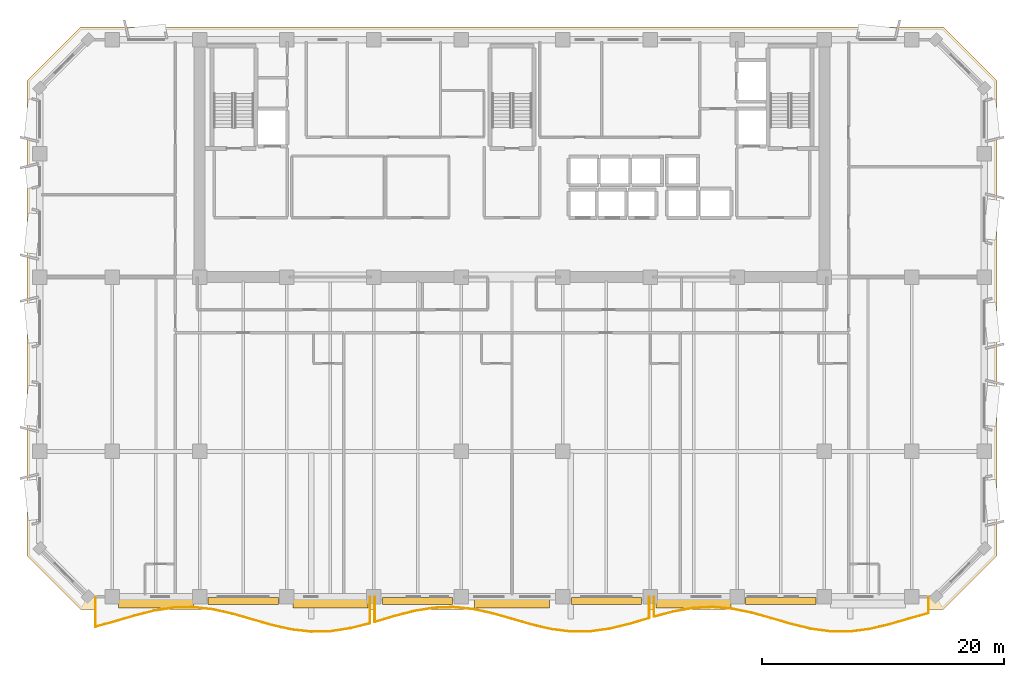
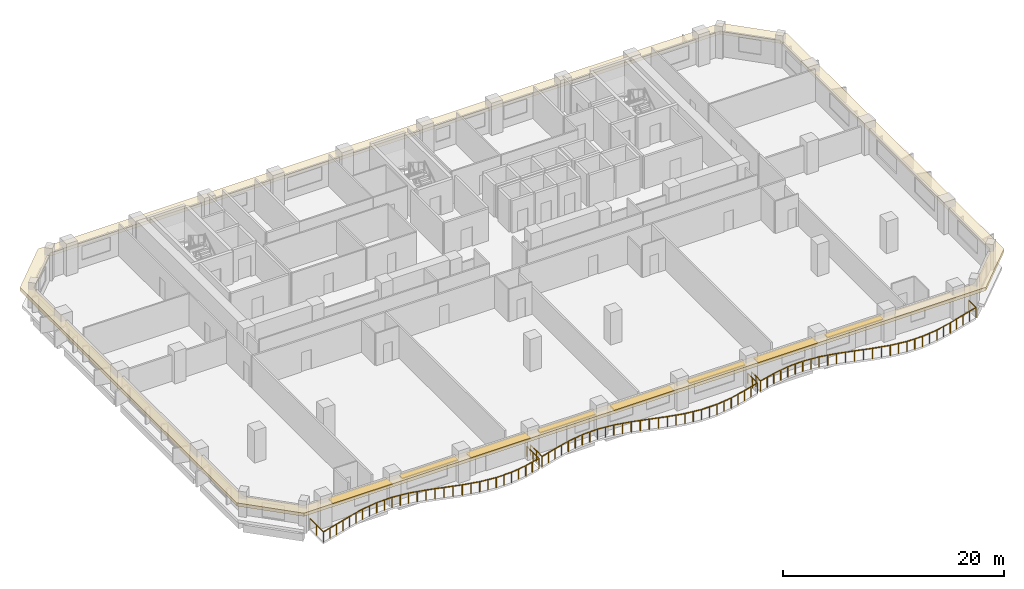
# One storey, part 10 of 14: 8 shading devices, 3 railings, 1 covering.
"""IFC4 building model written with IfcOpenShell, lengths in metres."""

from ifc_helpers import new_model, si_unit, direction, frame, origin, origin_2d, place, context, subcontext, project, spatial, polyline, rectangle, outline, extrude, material, layer, layer_set, type_object, element, save


model = new_model("IFC4")

# Units and contexts
model_context = context("Model", 3, precision=1e-05, world=origin(), true_north=direction((0.0, 1.0)))
body_context = subcontext(model_context, "Body", "Model", "MODEL_VIEW")
ifc_project = project(units=[si_unit("LENGTHUNIT", "METRE"), si_unit("AREAUNIT", "SQUARE_METRE"), si_unit("VOLUMEUNIT", "CUBIC_METRE"), si_unit("PLANEANGLEUNIT", "RADIAN"), si_unit("MASSUNIT", "GRAM", prefix="KILO")], contexts=[model_context])

# Site, building, storey
site_placement = place(None, origin())
site = spatial("IfcSite", under=ifc_project, at=site_placement, CompositionType="ELEMENT")
building_placement = place(site_placement, origin())
building = spatial("IfcBuilding", under=site, at=building_placement, Name="Kaelvorn Grand Hotel", CompositionType="ELEMENT")
storey_placement = place(building_placement, frame((0.0, 0.0, 212.949951171875)))
storey = spatial("IfcBuildingStorey", under=building, at=storey_placement, Name="L52", CompositionType="ELEMENT", Elevation=212.949951171875)

# Covering
ifc_material_1 = material(Name="Precast concrete C45/55", Category="concrete")
ifc_layer_1 = layer(ifc_material_1, 0.260009765625)
ifc_layer_set_1 = layer_set([ifc_layer_1], Name="Precast concrete C45/55")
covering_type = type_object("IfcCoveringType", Name="COV-BAND-STREAMLINE-HEAD", PredefinedType="CLADDING", material=ifc_layer_set_1)
covering_placement = place(storey_placement, frame((0.0, 0.0, 2.380126953125)))
element("IfcCovering", 1, at=covering_placement, inside=storey, type_object=covering_type, Name="L52 Streamline Moderne Wraparound Horizontal Eyebrow Band", PredefinedType="CLADDING", context=body_context, shape_type="SweptSolid", body=[
    extrude(outline(polyline([(6.389892578125, 1.949951171875), (77.610107421875, 1.949951171875), (82.050048828125, 6.389892578125), (82.050048828125, 45.610107421875), (77.610107421875, 50.050048828125), (6.389892578125, 50.050048828125), (1.949951171875, 45.610107421875), (1.949951171875, 6.389892578125), (6.389892578125, 1.949951171875)]), holes=[polyline([(7.02001953125, 3.030029296875), (76.97998046875, 3.030029296875), (80.969970703125, 7.02001953125), (80.969970703125, 44.97998046875), (76.97998046875, 48.969970703125), (7.02001953125, 48.969970703125), (3.030029296875, 44.97998046875), (3.030029296875, 7.02001953125), (7.02001953125, 3.030029296875)])]), origin(), (0.0, 0.0, 1.0), 0.35986328125),
])

# Railings
ifc_material_2 = material(Name="Stainless Steel", Category="steel")
railing_type = type_object("IfcRailingType", Name="RL-BALC-1150", PredefinedType="BALUSTRADE", material=ifc_material_2)
railing_1_placement = place(storey_placement, frame((7.60009765625, 3.0, 0.0)))
element("IfcRailing", 2, at=railing_1_placement, inside=storey, type_object=railing_type, Name="L52 Scalloped Wave Balcony Balustrade GR1-1", PredefinedType="BALUSTRADE", context=body_context, shape_type="SweptSolid", body=[
    extrude(rectangle(XDim=0.048095703125, YDim=0.048095703125, at=origin_2d()), frame((0.0, 0.0, 1.1259765625), z_axis=(0.0, -1.0, 0.0), x_axis=(1.0, 0.0, 0.0)), (0.0, 0.0, 1.0), 2.4775390625),
    extrude(rectangle(XDim=0.048095703125, YDim=0.048095703125, at=origin_2d()), frame((0.0, -2.4775390625, 1.1259765625), z_axis=(0.964706723911, 0.263326673244, 0.0), x_axis=(-0.263326673244, 0.964706723911, 0.0)), (0.0, 0.0, 1.0), 1.67822265625),
    extrude(rectangle(XDim=0.048095703125, YDim=0.048095703125, at=origin_2d()), frame((1.618896484375, -2.03564453125, 1.1259765625), z_axis=(0.959271015447, 0.282487378343, 0.0), x_axis=(-0.282487378343, 0.959271015447, 0.0)), (0.0, 0.0, 1.0), 1.68798828125),
    extrude(rectangle(XDim=0.048095703125, YDim=0.048095703125, at=origin_2d()), frame((3.238037109375, -1.558837890625, 1.1259765625), z_axis=(0.969684876745, 0.244358834119, 0.0), x_axis=(-0.244358834119, 0.969684876745, 0.0)), (0.0, 0.0, 1.0), 1.66943359375),
    extrude(rectangle(XDim=0.048095703125, YDim=0.048095703125, at=origin_2d()), frame((4.85693359375, -1.15087890625, 1.1259765625), z_axis=(0.988266376018, 0.152740204375, 0.0), x_axis=(-0.152740204375, 0.988266376018, 0.0)), (0.0, 0.0, 1.0), 1.638427734375),
    extrude(rectangle(XDim=0.048095703125, YDim=0.048095703125, at=origin_2d()), frame((6.47607421875, -0.900634765625, 1.1259765625), z_axis=(0.999719909885, 0.023666469519, 0.0), x_axis=(-0.023666469519, 0.999719909885, 0.0)), (0.0, 0.0, 1.0), 1.61962890625),
    extrude(rectangle(XDim=0.048095703125, YDim=0.048095703125, at=origin_2d()), frame((8.09521484375, -0.8623046875, 1.1259765625), z_axis=(0.993714448336, -0.111944607587, 0.0), x_axis=(0.111944607587, 0.993714448336, 0.0)), (0.0, 0.0, 1.0), 1.629150390625),
    extrude(rectangle(XDim=0.048095703125, YDim=0.048095703125, at=origin_2d()), frame((9.714111328125, -1.044677734375, 1.1259765625), z_axis=(0.975741913749, -0.218923999949, 0.0), x_axis=(0.218923999949, 0.975741913749, 0.0)), (0.0, 0.0, 1.0), 1.659423828125),
    extrude(rectangle(XDim=0.048095703125, YDim=0.048095703125, at=origin_2d()), frame((11.333251953125, -1.407958984375, 1.1259765625), z_axis=(0.961173148549, -0.275945970271, 0.0), x_axis=(0.275945970271, 0.961173148549, 0.0)), (0.0, 0.0, 1.0), 1.6845703125),
    extrude(rectangle(XDim=0.048095703125, YDim=0.048095703125, at=origin_2d()), frame((12.952392578125, -1.872802734375, 1.1259765625), z_axis=(0.961085178818, -0.276252201904, 0.0), x_axis=(0.276252201904, 0.961085178818, 0.0)), (0.0, 0.0, 1.0), 1.684326171875),
    extrude(rectangle(XDim=0.048095703125, YDim=0.048095703125, at=origin_2d()), frame((14.5712890625, -2.338134765625, 1.1259765625), z_axis=(0.975584547078, -0.219624205185, 0.0), x_axis=(0.219624205185, 0.975584547078, 0.0)), (0.0, 0.0, 1.0), 1.65966796875),
    extrude(rectangle(XDim=0.048095703125, YDim=0.048095703125, at=origin_2d()), frame((16.1904296875, -2.70263671875, 1.1259765625), z_axis=(0.993580397726, -0.113128215998, 0.0), x_axis=(0.113128215998, 0.993580397726, 0.0)), (0.0, 0.0, 1.0), 1.62939453125),
    extrude(rectangle(XDim=0.048095703125, YDim=0.048095703125, at=origin_2d()), frame((17.809326171875, -2.886962890625, 1.1259765625), z_axis=(0.999751090068, 0.022310488741, 0.0), x_axis=(-0.022310488741, 0.999751090068, 0.0)), (0.0, 0.0, 1.0), 1.61962890625),
    extrude(rectangle(XDim=0.048095703125, YDim=0.048095703125, at=origin_2d()), frame((19.428466796875, -2.850830078125, 1.1259765625), z_axis=(0.988423330197, 0.151721192723, 0.0), x_axis=(-0.151721192723, 0.988423330197, 0.0)), (0.0, 0.0, 1.0), 1.63818359375),
    extrude(rectangle(XDim=0.048095703125, YDim=0.048095703125, at=origin_2d()), frame((21.047607421875, -2.602294921875, 1.1259765625), z_axis=(0.969857916649, 0.243671133937, 0.0), x_axis=(-0.243671133937, 0.969857916649, 0.0)), (0.0, 0.0, 1.0), 1.669189453125),
    extrude(rectangle(XDim=0.048095703125, YDim=0.048095703125, at=origin_2d()), frame((22.66650390625, -2.195556640625, 1.1259765625), z_axis=(0.0, 1.0, 0.0), x_axis=(-1.0, 0.0, 0.0)), (0.0, 0.0, 1.0), 2.195556640625),
    extrude(rectangle(XDim=0.0419921875, YDim=0.0419921875, at=origin_2d()), origin(), (0.0, 0.0, 1.0), 1.101806640625),
    extrude(rectangle(XDim=0.0419921875, YDim=0.0419921875, at=origin_2d()), frame((0.0, -1.23876953125, 0.0)), (0.0, 0.0, 1.0), 1.101806640625),
    extrude(rectangle(XDim=0.0419921875, YDim=0.0419921875, at=origin_2d()), frame((0.0, -2.4775390625, 0.0)), (0.0, 0.0, 1.0), 1.101806640625),
    extrude(rectangle(XDim=0.0419921875, YDim=0.0419921875, at=origin_2d()), frame((0.8095703125, -2.256591796875, 0.0)), (0.0, 0.0, 1.0), 1.101806640625),
    extrude(rectangle(XDim=0.0419921875, YDim=0.0419921875, at=origin_2d()), frame((1.618896484375, -2.03564453125, 0.0)), (0.0, 0.0, 1.0), 1.101806640625),
    extrude(rectangle(XDim=0.0419921875, YDim=0.0419921875, at=origin_2d()), frame((2.428466796875, -1.79736328125, 0.0)), (0.0, 0.0, 1.0), 1.101806640625),
    extrude(rectangle(XDim=0.0419921875, YDim=0.0419921875, at=origin_2d()), frame((3.238037109375, -1.558837890625, 0.0)), (0.0, 0.0, 1.0), 1.101806640625),
    extrude(rectangle(XDim=0.0419921875, YDim=0.0419921875, at=origin_2d()), frame((4.04736328125, -1.35498046875, 0.0)), (0.0, 0.0, 1.0), 1.101806640625),
    extrude(rectangle(XDim=0.0419921875, YDim=0.0419921875, at=origin_2d()), frame((4.85693359375, -1.15087890625, 0.0)), (0.0, 0.0, 1.0), 1.101806640625),
    extrude(rectangle(XDim=0.0419921875, YDim=0.0419921875, at=origin_2d()), frame((5.66650390625, -1.02587890625, 0.0)), (0.0, 0.0, 1.0), 1.101806640625),
    extrude(rectangle(XDim=0.0419921875, YDim=0.0419921875, at=origin_2d()), frame((6.47607421875, -0.900634765625, 0.0)), (0.0, 0.0, 1.0), 1.101806640625),
    extrude(rectangle(XDim=0.0419921875, YDim=0.0419921875, at=origin_2d()), frame((7.28564453125, -0.88134765625, 0.0)), (0.0, 0.0, 1.0), 1.101806640625),
    extrude(rectangle(XDim=0.0419921875, YDim=0.0419921875, at=origin_2d()), frame((8.09521484375, -0.8623046875, 0.0)), (0.0, 0.0, 1.0), 1.101806640625),
    extrude(rectangle(XDim=0.0419921875, YDim=0.0419921875, at=origin_2d()), frame((8.90478515625, -0.95361328125, 0.0)), (0.0, 0.0, 1.0), 1.101806640625),
    extrude(rectangle(XDim=0.0419921875, YDim=0.0419921875, at=origin_2d()), frame((9.714111328125, -1.044677734375, 0.0)), (0.0, 0.0, 1.0), 1.101806640625),
    extrude(rectangle(XDim=0.0419921875, YDim=0.0419921875, at=origin_2d()), frame((10.523681640625, -1.226318359375, 0.0)), (0.0, 0.0, 1.0), 1.101806640625),
    extrude(rectangle(XDim=0.0419921875, YDim=0.0419921875, at=origin_2d()), frame((11.333251953125, -1.407958984375, 0.0)), (0.0, 0.0, 1.0), 1.101806640625),
    extrude(rectangle(XDim=0.0419921875, YDim=0.0419921875, at=origin_2d()), frame((12.142822265625, -1.640380859375, 0.0)), (0.0, 0.0, 1.0), 1.101806640625),
    extrude(rectangle(XDim=0.0419921875, YDim=0.0419921875, at=origin_2d()), frame((12.952392578125, -1.872802734375, 0.0)), (0.0, 0.0, 1.0), 1.101806640625),
    extrude(rectangle(XDim=0.0419921875, YDim=0.0419921875, at=origin_2d()), frame((13.76171875, -2.10546875, 0.0)), (0.0, 0.0, 1.0), 1.101806640625),
    extrude(rectangle(XDim=0.0419921875, YDim=0.0419921875, at=origin_2d()), frame((14.5712890625, -2.338134765625, 0.0)), (0.0, 0.0, 1.0), 1.101806640625),
    extrude(rectangle(XDim=0.0419921875, YDim=0.0419921875, at=origin_2d()), frame((15.380859375, -2.5205078125, 0.0)), (0.0, 0.0, 1.0), 1.101806640625),
    extrude(rectangle(XDim=0.0419921875, YDim=0.0419921875, at=origin_2d()), frame((16.1904296875, -2.70263671875, 0.0)), (0.0, 0.0, 1.0), 1.101806640625),
    extrude(rectangle(XDim=0.0419921875, YDim=0.0419921875, at=origin_2d()), frame((17.0, -2.794921875, 0.0)), (0.0, 0.0, 1.0), 1.101806640625),
    extrude(rectangle(XDim=0.0419921875, YDim=0.0419921875, at=origin_2d()), frame((17.809326171875, -2.886962890625, 0.0)), (0.0, 0.0, 1.0), 1.101806640625),
    extrude(rectangle(XDim=0.0419921875, YDim=0.0419921875, at=origin_2d()), frame((18.618896484375, -2.868896484375, 0.0)), (0.0, 0.0, 1.0), 1.101806640625),
    extrude(rectangle(XDim=0.0419921875, YDim=0.0419921875, at=origin_2d()), frame((19.428466796875, -2.850830078125, 0.0)), (0.0, 0.0, 1.0), 1.101806640625),
    extrude(rectangle(XDim=0.0419921875, YDim=0.0419921875, at=origin_2d()), frame((20.238037109375, -2.7265625, 0.0)), (0.0, 0.0, 1.0), 1.101806640625),
    extrude(rectangle(XDim=0.0419921875, YDim=0.0419921875, at=origin_2d()), frame((21.047607421875, -2.602294921875, 0.0)), (0.0, 0.0, 1.0), 1.101806640625),
    extrude(rectangle(XDim=0.0419921875, YDim=0.0419921875, at=origin_2d()), frame((21.85693359375, -2.39892578125, 0.0)), (0.0, 0.0, 1.0), 1.101806640625),
    extrude(rectangle(XDim=0.0419921875, YDim=0.0419921875, at=origin_2d()), frame((22.66650390625, -2.195556640625, 0.0)), (0.0, 0.0, 1.0), 1.101806640625),
    extrude(rectangle(XDim=0.0419921875, YDim=0.0419921875, at=origin_2d()), frame((22.66650390625, -1.09765625, 0.0)), (0.0, 0.0, 1.0), 1.101806640625),
    extrude(rectangle(XDim=0.0419921875, YDim=0.0419921875, at=origin_2d()), frame((22.66650390625, 0.0, 0.0)), (0.0, 0.0, 1.0), 1.101806640625),
])
railing_2_placement = place(storey_placement, frame((30.666748046875, 3.0, 0.0)))
element("IfcRailing", 3, at=railing_2_placement, inside=storey, type_object=railing_type, Name="L52 Scalloped Wave Balcony Balustrade GR1-2", PredefinedType="BALUSTRADE", context=body_context, shape_type="SweptSolid", body=[
    extrude(rectangle(XDim=0.048095703125, YDim=0.048095703125, at=origin_2d()), frame((0.0, 0.0, 1.1259765625), z_axis=(0.0, -1.0, 0.0), x_axis=(1.0, 0.0, 0.0)), (0.0, 0.0, 1.0), 2.080322265625),
    extrude(rectangle(XDim=0.048095703125, YDim=0.048095703125, at=origin_2d()), frame((0.0, -2.080322265625, 1.1259765625), z_axis=(0.959063249993, 0.283191953474, 0.0), x_axis=(-0.283191953474, 0.959063249993, 0.0)), (0.0, 0.0, 1.0), 1.68798828125),
    extrude(rectangle(XDim=0.048095703125, YDim=0.048095703125, at=origin_2d()), frame((1.618896484375, -1.602294921875, 1.1259765625), z_axis=(0.968153012553, 0.250359230478, 0.0), x_axis=(-0.250359230478, 0.968153012553, 0.0)), (0.0, 0.0, 1.0), 1.67236328125),
    extrude(rectangle(XDim=0.048095703125, YDim=0.048095703125, at=origin_2d()), frame((3.238037109375, -1.18359375, 1.1259765625), z_axis=(0.986570255456, 0.163337475949, 0.0), x_axis=(-0.163337475949, 0.986570255456, 0.0)), (0.0, 0.0, 1.0), 1.64111328125),
    extrude(rectangle(XDim=0.048095703125, YDim=0.048095703125, at=origin_2d()), frame((4.857177734375, -0.91552734375, 1.1259765625), z_axis=(0.999334712879, 0.036470969766, 0.0), x_axis=(-0.036470969766, 0.999334712879, 0.0)), (0.0, 0.0, 1.0), 1.619873046875),
    extrude(rectangle(XDim=0.048095703125, YDim=0.048095703125, at=origin_2d()), frame((6.47607421875, -0.8564453125, 1.1259765625), z_axis=(0.994995510951, -0.099919633639, 0.0), x_axis=(0.099919633639, 0.994995510951, 0.0)), (0.0, 0.0, 1.0), 1.627197265625),
    extrude(rectangle(XDim=0.048095703125, YDim=0.048095703125, at=origin_2d()), frame((8.09521484375, -1.01904296875, 1.1259765625), z_axis=(0.977557965922, -0.210666616393, 0.0), x_axis=(0.210666616393, 0.977557965922, 0.0)), (0.0, 0.0, 1.0), 1.656005859375),
    extrude(rectangle(XDim=0.048095703125, YDim=0.048095703125, at=origin_2d()), frame((9.714111328125, -1.367919921875, 1.1259765625), z_axis=(0.962015046514, -0.272996429062, 0.0), x_axis=(0.272996429062, 0.962015046514, 0.0)), (0.0, 0.0, 1.0), 1.68310546875),
    extrude(rectangle(XDim=0.048095703125, YDim=0.048095703125, at=origin_2d()), frame((11.333251953125, -1.827392578125, 1.1259765625), z_axis=(0.960401242625, -0.278620625876, 0.0), x_axis=(0.278620625876, 0.960401242625, 0.0)), (0.0, 0.0, 1.0), 1.685791015625),
    extrude(rectangle(XDim=0.048095703125, YDim=0.048095703125, at=origin_2d()), frame((12.952392578125, -2.297119140625, 1.1259765625), z_axis=(0.973816289073, -0.22733639202, 0.0), x_axis=(0.22733639202, 0.973816289073, 0.0)), (0.0, 0.0, 1.0), 1.662353515625),
    extrude(rectangle(XDim=0.048095703125, YDim=0.048095703125, at=origin_2d()), frame((14.5712890625, -2.675048828125, 1.1259765625), z_axis=(0.992185538276, -0.124771221188, 0.0), x_axis=(0.124771221188, 0.992185538276, 0.0)), (0.0, 0.0, 1.0), 1.6318359375),
    extrude(rectangle(XDim=0.048095703125, YDim=0.048095703125, at=origin_2d()), frame((16.1904296875, -2.878662109375, 1.1259765625), z_axis=(0.9999576899, 0.009198826585, 0.0), x_axis=(-0.009198826585, 0.9999576899, 0.0)), (0.0, 0.0, 1.0), 1.618896484375),
    extrude(rectangle(XDim=0.048095703125, YDim=0.048095703125, at=origin_2d()), frame((17.809326171875, -2.86376953125, 1.1259765625), z_axis=(0.9900626322, 0.140627110907, 0.0), x_axis=(-0.140627110907, 0.9900626322, 0.0)), (0.0, 0.0, 1.0), 1.635498046875),
    extrude(rectangle(XDim=0.048095703125, YDim=0.048095703125, at=origin_2d()), frame((19.428466796875, -2.6337890625, 1.1259765625), z_axis=(0.971438035801, 0.237293368214, 0.0), x_axis=(-0.237293368214, 0.971438035801, 0.0)), (0.0, 0.0, 1.0), 1.666748046875),
    extrude(rectangle(XDim=0.048095703125, YDim=0.048095703125, at=origin_2d()), frame((21.047607421875, -2.23828125, 1.1259765625), z_axis=(0.959650766176, 0.281194606949, 0.0), x_axis=(-0.281194606949, 0.959650766176, 0.0)), (0.0, 0.0, 1.0), 1.68701171875),
    extrude(rectangle(XDim=0.048095703125, YDim=0.048095703125, at=origin_2d()), frame((22.66650390625, -1.763916015625, 1.1259765625), z_axis=(0.0, 1.0, 0.0), x_axis=(-1.0, 0.0, 0.0)), (0.0, 0.0, 1.0), 1.763916015625),
    extrude(rectangle(XDim=0.0419921875, YDim=0.0419921875, at=origin_2d()), origin(), (0.0, 0.0, 1.0), 1.101806640625),
    extrude(rectangle(XDim=0.0419921875, YDim=0.0419921875, at=origin_2d()), frame((0.0, -1.0400390625, 0.0)), (0.0, 0.0, 1.0), 1.101806640625),
    extrude(rectangle(XDim=0.0419921875, YDim=0.0419921875, at=origin_2d()), frame((0.0, -2.080322265625, 0.0)), (0.0, 0.0, 1.0), 1.101806640625),
    extrude(rectangle(XDim=0.0419921875, YDim=0.0419921875, at=origin_2d()), frame((0.8095703125, -1.84130859375, 0.0)), (0.0, 0.0, 1.0), 1.101806640625),
    extrude(rectangle(XDim=0.0419921875, YDim=0.0419921875, at=origin_2d()), frame((1.618896484375, -1.602294921875, 0.0)), (0.0, 0.0, 1.0), 1.101806640625),
    extrude(rectangle(XDim=0.0419921875, YDim=0.0419921875, at=origin_2d()), frame((2.428466796875, -1.39306640625, 0.0)), (0.0, 0.0, 1.0), 1.101806640625),
    extrude(rectangle(XDim=0.0419921875, YDim=0.0419921875, at=origin_2d()), frame((3.238037109375, -1.18359375, 0.0)), (0.0, 0.0, 1.0), 1.101806640625),
    extrude(rectangle(XDim=0.0419921875, YDim=0.0419921875, at=origin_2d()), frame((4.047607421875, -1.049560546875, 0.0)), (0.0, 0.0, 1.0), 1.101806640625),
    extrude(rectangle(XDim=0.0419921875, YDim=0.0419921875, at=origin_2d()), frame((4.857177734375, -0.91552734375, 0.0)), (0.0, 0.0, 1.0), 1.101806640625),
    extrude(rectangle(XDim=0.0419921875, YDim=0.0419921875, at=origin_2d()), frame((5.66650390625, -0.885986328125, 0.0)), (0.0, 0.0, 1.0), 1.101806640625),
    extrude(rectangle(XDim=0.0419921875, YDim=0.0419921875, at=origin_2d()), frame((6.47607421875, -0.8564453125, 0.0)), (0.0, 0.0, 1.0), 1.101806640625),
    extrude(rectangle(XDim=0.0419921875, YDim=0.0419921875, at=origin_2d()), frame((7.28564453125, -0.937744140625, 0.0)), (0.0, 0.0, 1.0), 1.101806640625),
    extrude(rectangle(XDim=0.0419921875, YDim=0.0419921875, at=origin_2d()), frame((8.09521484375, -1.01904296875, 0.0)), (0.0, 0.0, 1.0), 1.101806640625),
    extrude(rectangle(XDim=0.0419921875, YDim=0.0419921875, at=origin_2d()), frame((8.90478515625, -1.193359375, 0.0)), (0.0, 0.0, 1.0), 1.101806640625),
    extrude(rectangle(XDim=0.0419921875, YDim=0.0419921875, at=origin_2d()), frame((9.714111328125, -1.367919921875, 0.0)), (0.0, 0.0, 1.0), 1.101806640625),
    extrude(rectangle(XDim=0.0419921875, YDim=0.0419921875, at=origin_2d()), frame((10.523681640625, -1.59765625, 0.0)), (0.0, 0.0, 1.0), 1.101806640625),
    extrude(rectangle(XDim=0.0419921875, YDim=0.0419921875, at=origin_2d()), frame((11.333251953125, -1.827392578125, 0.0)), (0.0, 0.0, 1.0), 1.101806640625),
    extrude(rectangle(XDim=0.0419921875, YDim=0.0419921875, at=origin_2d()), frame((12.142822265625, -2.062255859375, 0.0)), (0.0, 0.0, 1.0), 1.101806640625),
    extrude(rectangle(XDim=0.0419921875, YDim=0.0419921875, at=origin_2d()), frame((12.952392578125, -2.297119140625, 0.0)), (0.0, 0.0, 1.0), 1.101806640625),
    extrude(rectangle(XDim=0.0419921875, YDim=0.0419921875, at=origin_2d()), frame((13.76171875, -2.486083984375, 0.0)), (0.0, 0.0, 1.0), 1.101806640625),
    extrude(rectangle(XDim=0.0419921875, YDim=0.0419921875, at=origin_2d()), frame((14.5712890625, -2.675048828125, 0.0)), (0.0, 0.0, 1.0), 1.101806640625),
    extrude(rectangle(XDim=0.0419921875, YDim=0.0419921875, at=origin_2d()), frame((15.380859375, -2.77685546875, 0.0)), (0.0, 0.0, 1.0), 1.101806640625),
    extrude(rectangle(XDim=0.0419921875, YDim=0.0419921875, at=origin_2d()), frame((16.1904296875, -2.878662109375, 0.0)), (0.0, 0.0, 1.0), 1.101806640625),
    extrude(rectangle(XDim=0.0419921875, YDim=0.0419921875, at=origin_2d()), frame((17.0, -2.87109375, 0.0)), (0.0, 0.0, 1.0), 1.101806640625),
    extrude(rectangle(XDim=0.0419921875, YDim=0.0419921875, at=origin_2d()), frame((17.809326171875, -2.86376953125, 0.0)), (0.0, 0.0, 1.0), 1.101806640625),
    extrude(rectangle(XDim=0.0419921875, YDim=0.0419921875, at=origin_2d()), frame((18.618896484375, -2.748779296875, 0.0)), (0.0, 0.0, 1.0), 1.101806640625),
    extrude(rectangle(XDim=0.0419921875, YDim=0.0419921875, at=origin_2d()), frame((19.428466796875, -2.6337890625, 0.0)), (0.0, 0.0, 1.0), 1.101806640625),
    extrude(rectangle(XDim=0.0419921875, YDim=0.0419921875, at=origin_2d()), frame((20.238037109375, -2.43603515625, 0.0)), (0.0, 0.0, 1.0), 1.101806640625),
    extrude(rectangle(XDim=0.0419921875, YDim=0.0419921875, at=origin_2d()), frame((21.047607421875, -2.23828125, 0.0)), (0.0, 0.0, 1.0), 1.101806640625),
    extrude(rectangle(XDim=0.0419921875, YDim=0.0419921875, at=origin_2d()), frame((21.85693359375, -2.0009765625, 0.0)), (0.0, 0.0, 1.0), 1.101806640625),
    extrude(rectangle(XDim=0.0419921875, YDim=0.0419921875, at=origin_2d()), frame((22.66650390625, -1.763916015625, 0.0)), (0.0, 0.0, 1.0), 1.101806640625),
    extrude(rectangle(XDim=0.0419921875, YDim=0.0419921875, at=origin_2d()), frame((22.66650390625, -0.8818359375, 0.0)), (0.0, 0.0, 1.0), 1.101806640625),
    extrude(rectangle(XDim=0.0419921875, YDim=0.0419921875, at=origin_2d()), frame((22.66650390625, 0.0, 0.0)), (0.0, 0.0, 1.0), 1.101806640625),
])
railing_3_placement = place(storey_placement, frame((53.7333984375, 3.0, 0.0)))
element("IfcRailing", 4, at=railing_3_placement, inside=storey, type_object=railing_type, Name="L52 Scalloped Wave Balcony Balustrade GR1-3", PredefinedType="BALUSTRADE", context=body_context, shape_type="SweptSolid", body=[
    extrude(rectangle(XDim=0.048095703125, YDim=0.048095703125, at=origin_2d()), frame((0.0, 0.0, 1.1259765625), z_axis=(0.0, -1.0, 0.0), x_axis=(1.0, 0.0, 0.0)), (0.0, 0.0, 1.0), 1.646240234375),
    extrude(rectangle(XDim=0.048095703125, YDim=0.048095703125, at=origin_2d()), frame((0.0, -1.646240234375, 1.1259765625), z_axis=(0.966714773479, 0.255856496374, 0.0), x_axis=(-0.255856496374, 0.966714773479, 0.0)), (0.0, 0.0, 1.0), 1.674560546875),
    extrude(rectangle(XDim=0.048095703125, YDim=0.048095703125, at=origin_2d()), frame((1.618896484375, -1.2177734375, 1.1259765625), z_axis=(0.984817922582, 0.17359049329, 0.0), x_axis=(-0.17359049329, 0.984817922582, 0.0)), (0.0, 0.0, 1.0), 1.64404296875),
    extrude(rectangle(XDim=0.048095703125, YDim=0.048095703125, at=origin_2d()), frame((3.238037109375, -0.932373046875, 1.1259765625), z_axis=(0.998779232858, 0.049396801625, 0.0), x_axis=(-0.049396801625, 0.998779232858, 0.0)), (0.0, 0.0, 1.0), 1.62109375),
    extrude(rectangle(XDim=0.048095703125, YDim=0.048095703125, at=origin_2d()), frame((4.857177734375, -0.852294921875, 1.1259765625), z_axis=(0.996144150132, -0.087731591566, 0.0), x_axis=(0.087731591566, 0.996144150132, 0.0)), (0.0, 0.0, 1.0), 1.625244140625),
    extrude(rectangle(XDim=0.048095703125, YDim=0.048095703125, at=origin_2d()), frame((6.47607421875, -0.994873046875, 1.1259765625), z_axis=(0.979381482603, -0.202019582057, 0.0), x_axis=(0.202019582057, 0.979381482603, 0.0)), (0.0, 0.0, 1.0), 1.6533203125),
    extrude(rectangle(XDim=0.048095703125, YDim=0.048095703125, at=origin_2d()), frame((8.09521484375, -1.328857421875, 1.1259765625), z_axis=(0.962989656047, -0.269538350418, 0.0), x_axis=(0.269538350418, 0.962989656047, 0.0)), (0.0, 0.0, 1.0), 1.68115234375),
    extrude(rectangle(XDim=0.048095703125, YDim=0.048095703125, at=origin_2d()), frame((9.714111328125, -1.781982421875, 1.1259765625), z_axis=(0.959818254788, -0.280622375759, 0.0), x_axis=(0.280622375759, 0.959818254788, 0.0)), (0.0, 0.0, 1.0), 1.68701171875),
    extrude(rectangle(XDim=0.048095703125, YDim=0.048095703125, at=origin_2d()), frame((11.333251953125, -2.25537109375, 1.1259765625), z_axis=(0.972143279615, -0.234387379992, 0.0), x_axis=(0.234387379992, 0.972143279615, 0.0)), (0.0, 0.0, 1.0), 1.66552734375),
    extrude(rectangle(XDim=0.048095703125, YDim=0.048095703125, at=origin_2d()), frame((12.952392578125, -2.645751953125, 1.1259765625), z_axis=(0.990674050906, -0.136253164594, 0.0), x_axis=(0.136253164594, 0.990674050906, 0.0)), (0.0, 0.0, 1.0), 1.634033203125),
    extrude(rectangle(XDim=0.048095703125, YDim=0.048095703125, at=origin_2d()), frame((14.5712890625, -2.868408203125, 1.1259765625), z_axis=(0.999992315375, -0.003920355881, 0.0), x_axis=(0.003920355881, 0.999992315375, 0.0)), (0.0, 0.0, 1.0), 1.619140625),
    extrude(rectangle(XDim=0.048095703125, YDim=0.048095703125, at=origin_2d()), frame((16.1904296875, -2.874755859375, 1.1259765625), z_axis=(0.991601244907, 0.129332792045, 0.0), x_axis=(-0.129332792045, 0.991601244907, 0.0)), (0.0, 0.0, 1.0), 1.6328125),
    extrude(rectangle(XDim=0.048095703125, YDim=0.048095703125, at=origin_2d()), frame((17.8095703125, -2.66357421875, 1.1259765625), z_axis=(0.973129632445, 0.230257938969, 0.0), x_axis=(-0.230257938969, 0.973129632445, 0.0)), (0.0, 0.0, 1.0), 1.66357421875),
    extrude(rectangle(XDim=0.048095703125, YDim=0.048095703125, at=origin_2d()), frame((19.428466796875, -2.280517578125, 1.1259765625), z_axis=(0.960129612925, 0.279555229578, 0.0), x_axis=(-0.279555229578, 0.960129612925, 0.0)), (0.0, 0.0, 1.0), 1.686279296875),
    extrude(rectangle(XDim=0.048095703125, YDim=0.048095703125, at=origin_2d()), frame((21.047607421875, -1.80908203125, 1.1259765625), z_axis=(0.962422446372, 0.271556687854, 0.0), x_axis=(-0.271556687854, 0.962422446372, 0.0)), (0.0, 0.0, 1.0), 1.68212890625),
    extrude(rectangle(XDim=0.048095703125, YDim=0.048095703125, at=origin_2d()), frame((22.66650390625, -1.352294921875, 1.1259765625), z_axis=(0.0, 1.0, 0.0), x_axis=(-1.0, 0.0, 0.0)), (0.0, 0.0, 1.0), 1.352294921875),
    extrude(rectangle(XDim=0.0419921875, YDim=0.0419921875, at=origin_2d()), origin(), (0.0, 0.0, 1.0), 1.101806640625),
    extrude(rectangle(XDim=0.0419921875, YDim=0.0419921875, at=origin_2d()), frame((0.0, -0.8232421875, 0.0)), (0.0, 0.0, 1.0), 1.101806640625),
    extrude(rectangle(XDim=0.0419921875, YDim=0.0419921875, at=origin_2d()), frame((0.0, -1.646240234375, 0.0)), (0.0, 0.0, 1.0), 1.101806640625),
    extrude(rectangle(XDim=0.0419921875, YDim=0.0419921875, at=origin_2d()), frame((0.8095703125, -1.43212890625, 0.0)), (0.0, 0.0, 1.0), 1.101806640625),
    extrude(rectangle(XDim=0.0419921875, YDim=0.0419921875, at=origin_2d()), frame((1.618896484375, -1.2177734375, 0.0)), (0.0, 0.0, 1.0), 1.101806640625),
    extrude(rectangle(XDim=0.0419921875, YDim=0.0419921875, at=origin_2d()), frame((2.428466796875, -1.0751953125, 0.0)), (0.0, 0.0, 1.0), 1.101806640625),
    extrude(rectangle(XDim=0.0419921875, YDim=0.0419921875, at=origin_2d()), frame((3.238037109375, -0.932373046875, 0.0)), (0.0, 0.0, 1.0), 1.101806640625),
    extrude(rectangle(XDim=0.0419921875, YDim=0.0419921875, at=origin_2d()), frame((4.047607421875, -0.892333984375, 0.0)), (0.0, 0.0, 1.0), 1.101806640625),
    extrude(rectangle(XDim=0.0419921875, YDim=0.0419921875, at=origin_2d()), frame((4.857177734375, -0.852294921875, 0.0)), (0.0, 0.0, 1.0), 1.101806640625),
    extrude(rectangle(XDim=0.0419921875, YDim=0.0419921875, at=origin_2d()), frame((5.66650390625, -0.923583984375, 0.0)), (0.0, 0.0, 1.0), 1.101806640625),
    extrude(rectangle(XDim=0.0419921875, YDim=0.0419921875, at=origin_2d()), frame((6.47607421875, -0.994873046875, 0.0)), (0.0, 0.0, 1.0), 1.101806640625),
    extrude(rectangle(XDim=0.0419921875, YDim=0.0419921875, at=origin_2d()), frame((7.28564453125, -1.161865234375, 0.0)), (0.0, 0.0, 1.0), 1.101806640625),
    extrude(rectangle(XDim=0.0419921875, YDim=0.0419921875, at=origin_2d()), frame((8.09521484375, -1.328857421875, 0.0)), (0.0, 0.0, 1.0), 1.101806640625),
    extrude(rectangle(XDim=0.0419921875, YDim=0.0419921875, at=origin_2d()), frame((8.90478515625, -1.555419921875, 0.0)), (0.0, 0.0, 1.0), 1.101806640625),
    extrude(rectangle(XDim=0.0419921875, YDim=0.0419921875, at=origin_2d()), frame((9.714111328125, -1.781982421875, 0.0)), (0.0, 0.0, 1.0), 1.101806640625),
    extrude(rectangle(XDim=0.0419921875, YDim=0.0419921875, at=origin_2d()), frame((10.523681640625, -2.0185546875, 0.0)), (0.0, 0.0, 1.0), 1.101806640625),
    extrude(rectangle(XDim=0.0419921875, YDim=0.0419921875, at=origin_2d()), frame((11.333251953125, -2.25537109375, 0.0)), (0.0, 0.0, 1.0), 1.101806640625),
    extrude(rectangle(XDim=0.0419921875, YDim=0.0419921875, at=origin_2d()), frame((12.142822265625, -2.45068359375, 0.0)), (0.0, 0.0, 1.0), 1.101806640625),
    extrude(rectangle(XDim=0.0419921875, YDim=0.0419921875, at=origin_2d()), frame((12.952392578125, -2.645751953125, 0.0)), (0.0, 0.0, 1.0), 1.101806640625),
    extrude(rectangle(XDim=0.0419921875, YDim=0.0419921875, at=origin_2d()), frame((13.76171875, -2.757080078125, 0.0)), (0.0, 0.0, 1.0), 1.101806640625),
    extrude(rectangle(XDim=0.0419921875, YDim=0.0419921875, at=origin_2d()), frame((14.5712890625, -2.868408203125, 0.0)), (0.0, 0.0, 1.0), 1.101806640625),
    extrude(rectangle(XDim=0.0419921875, YDim=0.0419921875, at=origin_2d()), frame((15.380859375, -2.87158203125, 0.0)), (0.0, 0.0, 1.0), 1.101806640625),
    extrude(rectangle(XDim=0.0419921875, YDim=0.0419921875, at=origin_2d()), frame((16.1904296875, -2.874755859375, 0.0)), (0.0, 0.0, 1.0), 1.101806640625),
    extrude(rectangle(XDim=0.0419921875, YDim=0.0419921875, at=origin_2d()), frame((17.0, -2.76904296875, 0.0)), (0.0, 0.0, 1.0), 1.101806640625),
    extrude(rectangle(XDim=0.0419921875, YDim=0.0419921875, at=origin_2d()), frame((17.8095703125, -2.66357421875, 0.0)), (0.0, 0.0, 1.0), 1.101806640625),
    extrude(rectangle(XDim=0.0419921875, YDim=0.0419921875, at=origin_2d()), frame((18.619140625, -2.47216796875, 0.0)), (0.0, 0.0, 1.0), 1.101806640625),
    extrude(rectangle(XDim=0.0419921875, YDim=0.0419921875, at=origin_2d()), frame((19.428466796875, -2.280517578125, 0.0)), (0.0, 0.0, 1.0), 1.101806640625),
    extrude(rectangle(XDim=0.0419921875, YDim=0.0419921875, at=origin_2d()), frame((20.238037109375, -2.044921875, 0.0)), (0.0, 0.0, 1.0), 1.101806640625),
    extrude(rectangle(XDim=0.0419921875, YDim=0.0419921875, at=origin_2d()), frame((21.047607421875, -1.80908203125, 0.0)), (0.0, 0.0, 1.0), 1.101806640625),
    extrude(rectangle(XDim=0.0419921875, YDim=0.0419921875, at=origin_2d()), frame((21.85693359375, -1.58056640625, 0.0)), (0.0, 0.0, 1.0), 1.101806640625),
    extrude(rectangle(XDim=0.0419921875, YDim=0.0419921875, at=origin_2d()), frame((22.66650390625, -1.352294921875, 0.0)), (0.0, 0.0, 1.0), 1.101806640625),
    extrude(rectangle(XDim=0.0419921875, YDim=0.0419921875, at=origin_2d()), frame((22.66650390625, 0.0, 0.0)), (0.0, 0.0, 1.0), 1.101806640625),
])

# Shading devices
ifc_layer_2 = layer(ifc_material_1, 0.1201171875)
ifc_layer_set_2 = layer_set([ifc_layer_2], Name="Precast concrete C45/55")
shading_device_type_1 = type_object("IfcShadingDeviceType", Name="SHD-SUNSHADE-550", PredefinedType="USERDEFINED", material=ifc_layer_set_2)
for number, where, z_axis, x_axis, name in (
    (5, (19.800048828125, 2.64501953125, 2.56005859375), (0.0, 0.0, 1.0), (1.0, 0.0, 0.0), "L52 Horizontal Concrete Sunshade Band SS-03"),
    (6, (34.199951171875, 2.64501953125, 2.56005859375), (0.0, 0.0, 1.0), (1.0, 0.0, 0.0), "L52 Horizontal Concrete Sunshade Band SS-05"),
    (7, (49.800048828125, 2.64501953125, 2.56005859375), (0.0, 0.0, 1.0), (1.0, 0.0, 0.0), "L52 Horizontal Concrete Sunshade Band SS-07"),
    (8, (64.199951171875, 2.64501953125, 2.56005859375), (0.0, 0.0, 1.0), (1.0, 0.0, 0.0), "L52 Horizontal Concrete Sunshade Band SS-09"),
):
    element("IfcShadingDevice", number, at=place(storey_placement, frame(where, z_axis=z_axis, x_axis=x_axis)), inside=storey, type_object=shading_device_type_1, Name=name, ObjectType="SUNSHADE", PredefinedType="USERDEFINED", context=body_context, shape_type="SweptSolid", body=[
        extrude(rectangle(XDim=5.800048828125, YDim=0.550048828125, at=origin_2d()), origin(), (0.0, 0.0, 1.0), 0.1201171875),
    ])
ifc_layer_3 = layer(ifc_material_1, 0.139892578125)
ifc_layer_set_3 = layer_set([ifc_layer_3], Name="Precast concrete C45/55")
shading_device_type_2 = type_object("IfcShadingDeviceType", Name="SHD-SUNSHADE-850", PredefinedType="USERDEFINED", material=ifc_layer_set_3)
for number, where, z_axis, x_axis, name in (
    (9, (12.60009765625, 2.4951171875, 2.55029296875), (0.0, 0.0, 1.0), (1.0, 0.0, 0.0), "L52 Horizontal Concrete Sunshade Band SS-02"),
    (10, (27.0, 2.4951171875, 2.55029296875), (0.0, 0.0, 1.0), (1.0, 0.0, 0.0), "L52 Horizontal Concrete Sunshade Band SS-04"),
    (11, (42.0, 2.4951171875, 2.55029296875), (0.0, 0.0, 1.0), (1.0, 0.0, 0.0), "L52 Horizontal Concrete Sunshade Band SS-06"),
    (12, (57.0, 2.4951171875, 2.55029296875), (0.0, 0.0, 1.0), (1.0, 0.0, 0.0), "L52 Horizontal Concrete Sunshade Band SS-08"),
):
    element("IfcShadingDevice", number, at=place(storey_placement, frame(where, z_axis=z_axis, x_axis=x_axis)), inside=storey, type_object=shading_device_type_2, Name=name, ObjectType="SUNSHADE", PredefinedType="USERDEFINED", context=body_context, shape_type="SweptSolid", body=[
        extrude(rectangle(XDim=6.199951171875, YDim=0.85009765625, at=origin_2d()), origin(), (0.0, 0.0, 1.0), 0.139892578125),
    ])

save(model, "model.ifc")
